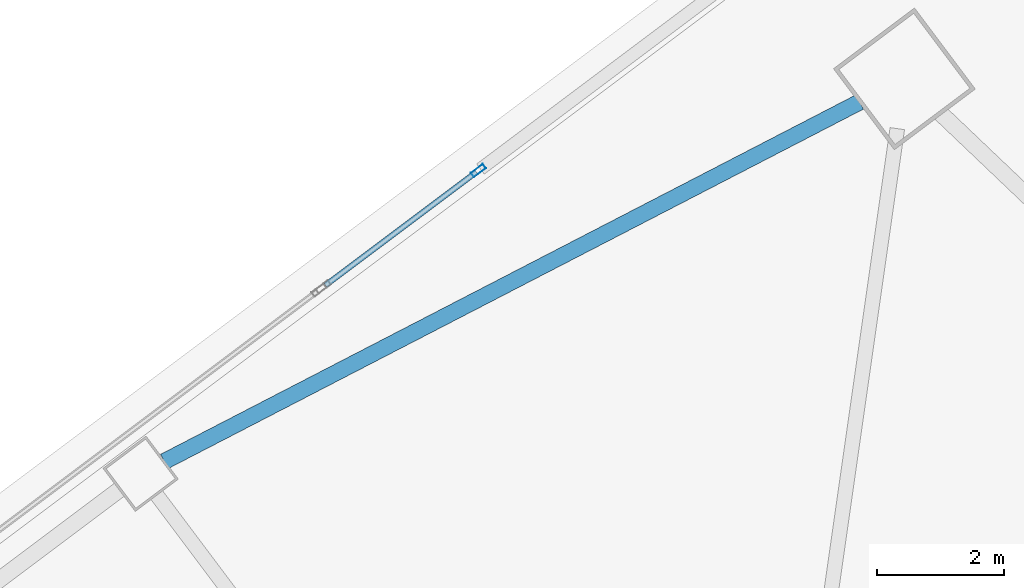
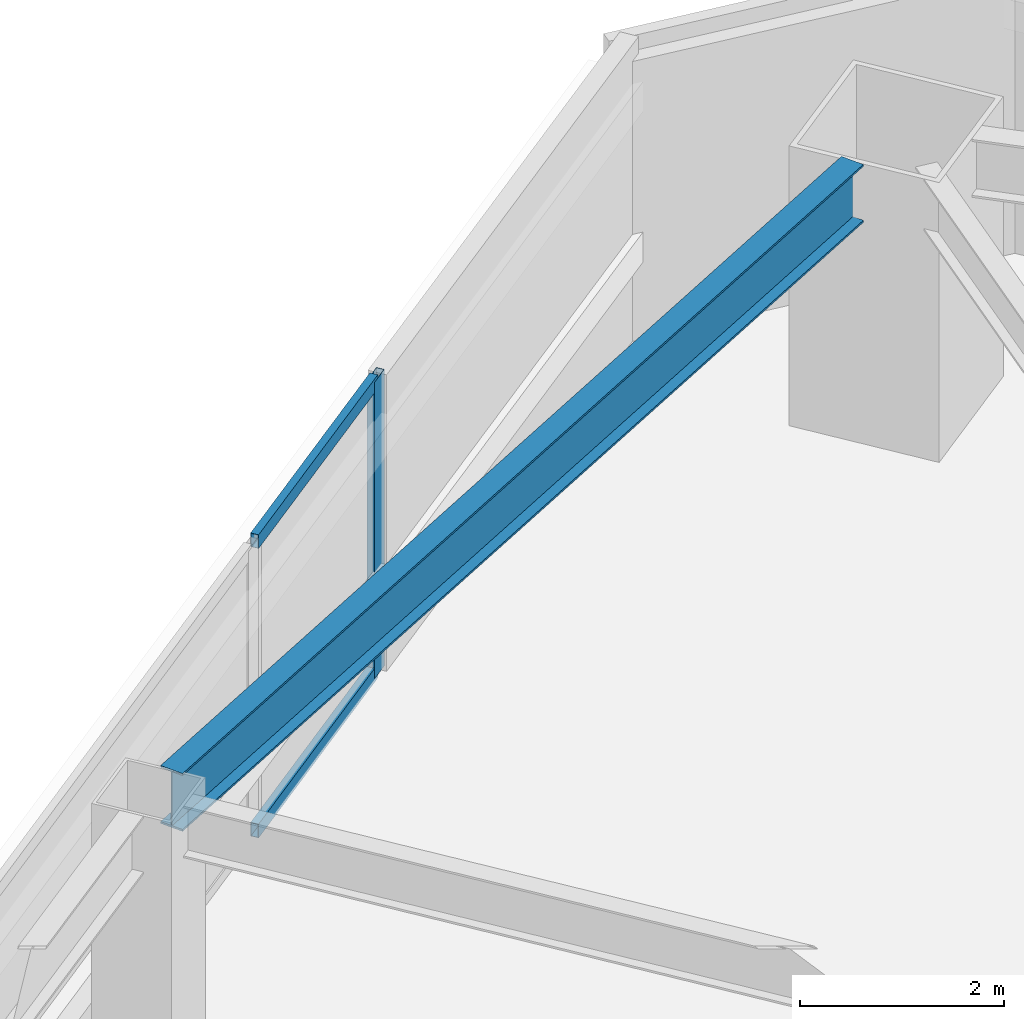
# One storey, part 31 of 46: 3 members, 1 beam, 1 element without a shape of its own.
"""IFC4 building model written with IfcOpenShell, lengths in metres."""

from ifc_helpers import new_model, si_unit, direction, frame, origin, origin_2d, place, context, subcontext, project, spatial, hollow_rectangle, i_section, extrude, material, material_profile, profile_set, type_object, element, aggregate, save


model = new_model("IFC4")

# Units and contexts
model_context = context("Model", 3, precision=1e-05, world=origin(), true_north=direction((0.0, 1.0)))
body_context = subcontext(model_context, "Body", "Model", "MODEL_VIEW")
ifc_project = project(units=[si_unit("LENGTHUNIT", "METRE"), si_unit("AREAUNIT", "SQUARE_METRE"), si_unit("VOLUMEUNIT", "CUBIC_METRE"), si_unit("PLANEANGLEUNIT", "RADIAN"), si_unit("MASSUNIT", "GRAM", prefix="KILO")], contexts=[model_context])

# Site, building, storey
site_placement = place(None, origin())
site = spatial("IfcSite", under=ifc_project, at=site_placement, CompositionType="ELEMENT")
building_placement = place(site_placement, origin())
building = spatial("IfcBuilding", under=site, at=building_placement, Name="Tashvorn Skyway Center", CompositionType="ELEMENT")
storey_placement = place(building_placement, frame((0.0, 0.0, 60.10009765625)))
storey = spatial("IfcBuildingStorey", under=building, at=storey_placement, Name="L15", CompositionType="ELEMENT", Elevation=60.10009765625)

# Beam
ifc_material_1 = material(Name="Steel ASTM A992 Grade 50", Category="steel")
ifc_material_profile_1 = material_profile(ifc_material_1, i_section(OverallWidth=0.256103515625, OverallDepth=0.693115234375, WebThickness=0.014404296875, FlangeThickness=0.023681640625, at=origin_2d()), Name="W27X114")
ifc_profile_set_1 = profile_set([ifc_material_profile_1], Name="Steel ASTM A992 Grade 50")
beam_type = type_object("IfcBeamType", Name="BM-SPANDREL-W27X114", PredefinedType="SPANDREL", material=ifc_profile_set_1)
beam_placement = place(storey_placement, frame((117.0537109375, 57.954833984375, 3.00341796875), z_axis=(-0.888315637339, -0.459233413919, 0.0), x_axis=(0.459233413919, -0.888315637339, 0.0)))
element("IfcBeam", 1, at=beam_placement, inside=storey, type_object=beam_type, Name="Tower 2 L15 Spandrel Beam 07", PredefinedType="SPANDREL", context=body_context, shape_type="SweptSolid", body=[
    extrude(i_section(OverallWidth=0.256103515625, OverallDepth=0.693115234375, WebThickness=0.014404296875, FlangeThickness=0.023681640625, at=origin_2d()), origin(), (0.0, 0.0, 1.0), 12.37255859375),
])

# Curtain wall, members
ifc_material_2 = material(Name="Thermally broken bronze-anodized aluminium 6063-T6", Category="aluminium")
curtain_wall_type = type_object("IfcCurtainWallType", Name="CW-CW-Z1", PredefinedType="NOTDEFINED", material=ifc_material_2)
curtain_wall_placement = place(storey_placement, origin())
curtain_wall = element("IfcCurtainWall", 2, at=curtain_wall_placement, inside=storey, type_object=curtain_wall_type, Name="Tower 2 L15 North Unitised Curtain Wall Glazing Group 3", PredefinedType="NOTDEFINED")
ifc_material_profile_2 = material_profile(ifc_material_2, hollow_rectangle(XDim=0.0849609375, YDim=0.239990234375, WallThickness=0.0048828125, at=origin_2d()), Name="ALU-MULL-85x240")
ifc_profile_set_2 = profile_set([ifc_material_profile_2], Name="Thermally broken bronze-anodized aluminium 6063-T6")
member_type_1 = type_object("IfcMemberType", Name="CWM-CW-Z1", PredefinedType="MULLION", material=ifc_profile_set_2)
member_1_placement = place(storey_placement, frame((111.02734375, 56.87060546875, 0.0), z_axis=(0.0, 0.0, 1.0), x_axis=(-0.600005084776, 0.799996186392, 0.0)))
member_1 = element("IfcMember", 3, at=member_1_placement, type_object=member_type_1, Name="CW-Z1 mullion 2", PredefinedType="MULLION", context=body_context, shape_type="SweptSolid", body=[
    extrude(hollow_rectangle(XDim=0.0849609375, YDim=0.239990234375, WallThickness=0.0048828125, at=origin_2d()), origin(), (0.0, 0.0, 1.0), 3.5498046875),
])
ifc_material_profile_3 = material_profile(ifc_material_2, hollow_rectangle(XDim=0.0849609375, YDim=0.1650390625, WallThickness=0.0048828125, at=origin_2d()), Name="ALU-TRAN-85x165")
ifc_profile_set_3 = profile_set([ifc_material_profile_3], Name="Thermally broken bronze-anodized aluminium 6063-T6")
member_type_2 = type_object("IfcMemberType", Name="CWT-CW-Z1", PredefinedType="USERDEFINED", material=ifc_profile_set_3)
member_2_placement = place(storey_placement, frame((108.612060546875, 55.05908203125, 0.04248046875), z_axis=(0.800019684286, 0.599973753388, 0.0), x_axis=(-0.599973753388, 0.800019684286, 0.0)))
member_2 = element("IfcMember", 4, at=member_2_placement, type_object=member_type_2, Name="CW-Z1 transom 1.1", ObjectType="TRANSOM", PredefinedType="USERDEFINED", context=body_context, shape_type="SweptSolid", body=[
    extrude(hollow_rectangle(XDim=0.0849609375, YDim=0.1650390625, WallThickness=0.0048828125, at=origin_2d()), origin(), (0.0, 0.0, 1.0), 2.9765625),
])
member_3_placement = place(storey_placement, frame((108.612060546875, 55.05908203125, 3.50732421875), z_axis=(0.800019684286, 0.599973753388, 0.0), x_axis=(-0.599973753388, 0.800019684286, 0.0)))
member_3 = element("IfcMember", 5, at=member_3_placement, type_object=member_type_2, Name="CW-Z1 transom 1.2", ObjectType="TRANSOM", PredefinedType="USERDEFINED", context=body_context, shape_type="SweptSolid", body=[
    extrude(hollow_rectangle(XDim=0.0849609375, YDim=0.1650390625, WallThickness=0.0048828125, at=origin_2d()), origin(), (0.0, 0.0, 1.0), 2.9765625),
])
aggregate(curtain_wall, [member_1, member_2, member_3])

save(model, "model.ifc")
